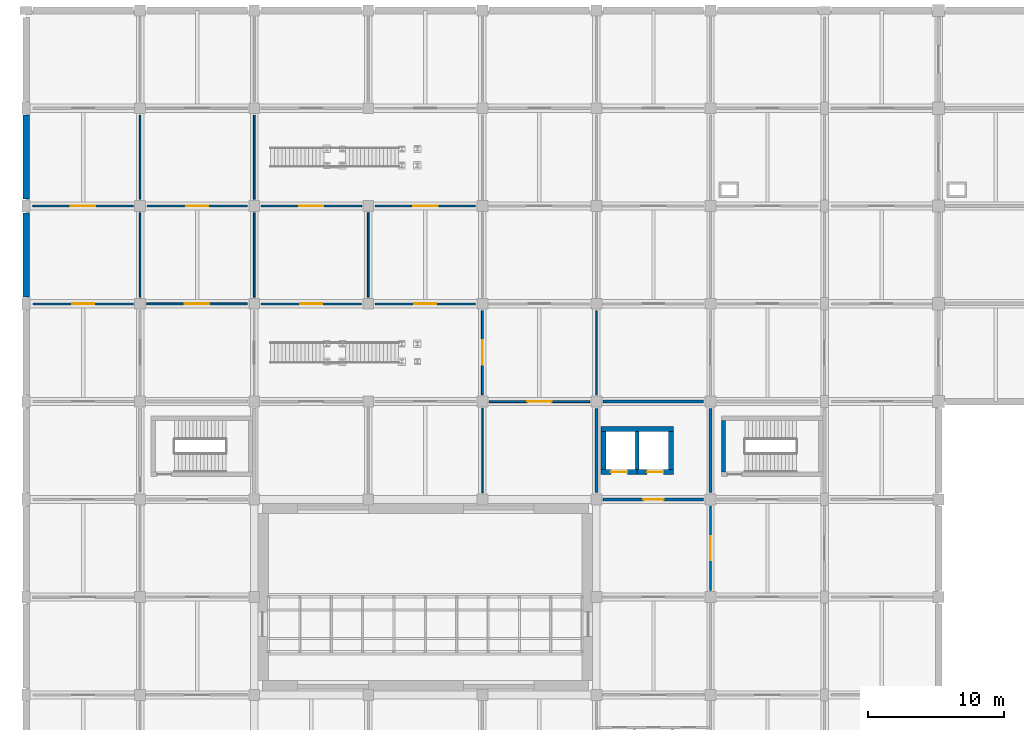
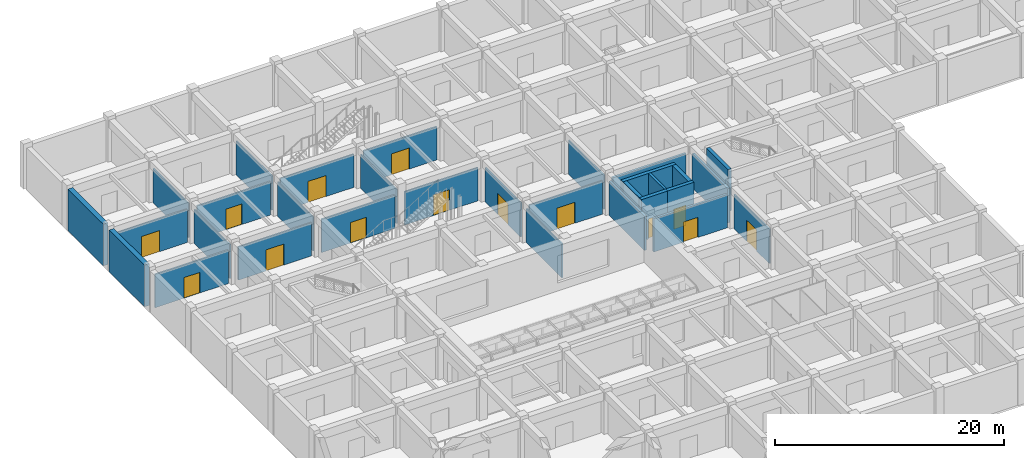
# One storey, part 19 of 32: 31 walls, 14 doors, 14 openings.
"""IFC4 building model written with IfcOpenShell, lengths in metres."""

from ifc_helpers import new_model, si_unit, derived_unit, direction, frame, frame_2d, origin, place, context, subcontext, project, spatial, rectangle, extrude, material, layer, layer_set, type_object, element, fill, save


model = new_model("IFC4")

# Units and contexts
model_context = context("Model", 3, precision=1e-05, world=origin(), true_north=direction((0.0, 1.0)))
body_context = subcontext(model_context, "Body", "Model", "MODEL_VIEW")
ifc_project = project(units=[si_unit("LENGTHUNIT", "METRE"), si_unit("AREAUNIT", "SQUARE_METRE"), si_unit("VOLUMEUNIT", "CUBIC_METRE"), si_unit("PLANEANGLEUNIT", "RADIAN"), si_unit("MASSUNIT", "GRAM", prefix="KILO"), derived_unit("THERMALTRANSMITTANCEUNIT", [(si_unit("MASSUNIT", "GRAM", prefix="KILO"), 1), (si_unit("TIMEUNIT", "SECOND"), -3), (si_unit("THERMODYNAMICTEMPERATUREUNIT", "KELVIN"), -1)])], contexts=[model_context])

# Site, building, storey
site_placement = place(None, origin())
site = spatial("IfcSite", under=ifc_project, at=site_placement, CompositionType="ELEMENT")
building_placement = place(site_placement, origin())
building = spatial("IfcBuilding", under=site, at=building_placement, Name="Veldstrom Oceanarium and Marine Research Institute", CompositionType="ELEMENT")
storey_placement = place(building_placement, frame((0.0, 0.0, -4.800048828125)))
storey = spatial("IfcBuildingStorey", under=building, at=storey_placement, Name="B01", CompositionType="ELEMENT", Elevation=-4.800048828125)

# Wall
ifc_material_1 = material(Name="Masonry Fire Compartment Wall", Category="masonry")
ifc_layer_1 = layer(ifc_material_1, 0.22998046875)
ifc_layer_set_1 = layer_set([ifc_layer_1], Name="ARC-WAL-PT1")
wall_type_1 = type_object("IfcWallType", Name="ARC-WAL-PT1", PredefinedType="PARTITIONING", material=ifc_layer_set_1)
wall_1_placement = place(storey_placement, frame((42.0, 36.5, 0.0), z_axis=(0.0, 0.0, 1.0), x_axis=(0.0, 1.0, 0.0)))
element("IfcWall", 1, at=wall_1_placement, inside=storey, type_object=wall_type_1, Name="Interior Partition PT1 B01-0364", PredefinedType="PARTITIONING", context=body_context, shape_type="SweptSolid", body=[
    extrude(rectangle(XDim=6.199951171875, YDim=0.22998046875, at=frame_2d((3.10009765625, 0.0))), origin(), (0.0, 0.0, 1.0), 3.64501953125),
])

# Wall, opening, door
wall_2_placement = place(storey_placement, frame((42.5, 36.0, 0.0), z_axis=(0.0, 0.0, 1.0), x_axis=(1.0, 0.0, 0.0)))
wall_2 = element("IfcWall", 2, at=wall_2_placement, inside=storey, type_object=wall_type_1, Name="Interior Partition PT1 B01-0382", PredefinedType="PARTITIONING", context=body_context, shape_type="SweptSolid", body=[
    extrude(rectangle(XDim=7.39990234375, YDim=0.22998046875, at=frame_2d((3.699951171875, 0.0))), origin(), (0.0, 0.0, 1.0), 3.545166015625),
])
opening_1_placement = place(wall_2_placement, frame((2.949951171875, 0.0, 0.0)))
opening_1 = element("IfcOpeningElement", 3, at=opening_1_placement, cuts=wall_2, Name="Opening D-B01-221", PredefinedType="OPENING", context=body_context, shape_type="SweptSolid", body=[
    extrude(rectangle(XDim=1.5, YDim=2.14990234375, at=frame_2d((0.75, 1.074951171875))), frame((0.0, 0.125, 0.0), z_axis=(0.0, -1.0, 0.0), x_axis=(1.0, 0.0, 0.0)), (0.0, 0.0, 1.0), 0.25),
])
ifc_material_2 = material(Name="Painted Steel Lobby Fire Door", Category="steel")
door_type_1 = type_object("IfcDoorType", Name="ARC-DOR-SD2", OperationType="DOUBLE_DOOR_SINGLE_SWING", PredefinedType="DOOR", material=ifc_material_2)
door_1_placement = place(opening_1_placement, frame((1.5, 0.0, 0.0), z_axis=(0.0, 0.0, 1.0), x_axis=(-1.0, 0.0, 0.0)))
door_1 = element("IfcDoor", 4, at=door_1_placement, inside=storey, type_object=door_type_1, Name="Interior Door D-B01-221", OperationType="DOUBLE_DOOR_SINGLE_SWING", OverallHeight=2.14990234375, OverallWidth=1.5, PredefinedType="DOOR", context=body_context, shape_type="SweptSolid", body=[
    extrude(rectangle(XDim=1.5, YDim=2.14990234375, at=frame_2d((0.75, 1.074951171875))), frame((0.0, 0.02490234375, 0.0), z_axis=(0.0, -1.0, 0.0), x_axis=(1.0, 0.0, 0.0)), (0.0, 0.0, 1.0), 0.050048828125),
])
fill(opening_1, door_1)

# Walls
wall_3_placement = place(storey_placement, frame((50.39990234375, 36.5, 0.0), z_axis=(0.0, 0.0, 1.0), x_axis=(0.0, 1.0, 0.0)))
element("IfcWall", 5, at=wall_3_placement, inside=storey, type_object=wall_type_1, Name="Interior Partition PT1 B01-0383", PredefinedType="PARTITIONING", context=body_context, shape_type="SweptSolid", body=[
    extrude(rectangle(XDim=6.199951171875, YDim=0.22998046875, at=frame_2d((3.10009765625, 0.0))), origin(), (0.0, 0.0, 1.0), 3.64501953125),
])
wall_4_placement = place(storey_placement, frame((42.5, 43.199951171875, 0.0), z_axis=(0.0, 0.0, 1.0), x_axis=(1.0, 0.0, 0.0)))
element("IfcWall", 6, at=wall_4_placement, inside=storey, type_object=wall_type_1, Name="Interior Partition PT1 B01-0384", PredefinedType="PARTITIONING", context=body_context, shape_type="SweptSolid", body=[
    extrude(rectangle(XDim=7.39990234375, YDim=0.22998046875, at=frame_2d((3.699951171875, 0.0))), origin(), (0.0, 0.0, 1.0), 3.545166015625),
])

# Wall, opening, door
ifc_material_3 = material(Name="Drywall Corridor Partition", Category="gypsum")
ifc_layer_2 = layer(ifc_material_3, 0.155029296875)
ifc_layer_set_2 = layer_set([ifc_layer_2], Name="ARC-WAL-PT4")
wall_type_2 = type_object("IfcWallType", Name="ARC-WAL-PT4", PredefinedType="PARTITIONING", material=ifc_layer_set_2)
wall_5_placement = place(storey_placement, frame((0.5, 50.39990234375, 0.0), z_axis=(0.0, 0.0, 1.0), x_axis=(1.0, 0.0, 0.0)))
wall_5 = element("IfcWall", 7, at=wall_5_placement, inside=storey, type_object=wall_type_2, Name="Interior Partition PT4 B01-0311", PredefinedType="PARTITIONING", context=body_context, shape_type="SweptSolid", body=[
    extrude(rectangle(XDim=7.39990234375, YDim=0.155029296875, at=frame_2d((3.699951171875, 0.0))), origin(), (0.0, 0.0, 1.0), 3.545166015625),
])
opening_2_placement = place(wall_5_placement, frame((2.89990234375, 0.0, 0.0)))
opening_2 = element("IfcOpeningElement", 8, at=opening_2_placement, cuts=wall_5, Name="Opening D-B01-183", PredefinedType="OPENING", context=body_context, shape_type="SweptSolid", body=[
    extrude(rectangle(XDim=1.60009765625, YDim=2.199951171875, at=frame_2d((0.800048828125, 1.10009765625))), frame((0.0, 0.08740234375, 0.0), z_axis=(0.0, -1.0, 0.0), x_axis=(1.0, 0.0, 0.0)), (0.0, 0.0, 1.0), 0.175048828125),
])
ifc_material_4 = material(Name="Acoustic Timber Corridor Door", Category="wood")
door_type_2 = type_object("IfcDoorType", Name="ARC-DOR-ID02", OperationType="DOUBLE_DOOR_SINGLE_SWING", PredefinedType="DOOR", material=ifc_material_4)
door_2_placement = place(opening_2_placement, frame((1.60009765625, 0.0, 0.0), z_axis=(0.0, 0.0, 1.0), x_axis=(-1.0, 0.0, 0.0)))
door_2 = element("IfcDoor", 9, at=door_2_placement, inside=storey, type_object=door_type_2, Name="Interior Door D-B01-183", OperationType="DOUBLE_DOOR_SINGLE_SWING", OverallHeight=2.199951171875, OverallWidth=1.60009765625, PredefinedType="DOOR", context=body_context, shape_type="SweptSolid", body=[
    extrude(rectangle(XDim=1.60009765625, YDim=2.199951171875, at=frame_2d((0.800048828125, 1.10009765625))), frame((0.0, 0.02490234375, 0.0), z_axis=(0.0, -1.0, 0.0), x_axis=(1.0, 0.0, 0.0)), (0.0, 0.0, 1.0), 0.050048828125),
])
fill(opening_2, door_2)

wall_6_placement = place(storey_placement, frame((8.89990234375, 57.60009765625, 0.0), z_axis=(0.0, 0.0, 1.0), x_axis=(1.0, 0.0, 0.0)))
wall_6 = element("IfcWall", 10, at=wall_6_placement, inside=storey, type_object=wall_type_2, Name="Interior Partition PT4 B01-0329", PredefinedType="PARTITIONING", context=body_context, shape_type="SweptSolid", body=[
    extrude(rectangle(XDim=7.400146484375, YDim=0.155029296875, at=frame_2d((3.7001953125, 0.0))), origin(), (0.0, 0.0, 1.0), 3.545166015625),
])
opening_3_placement = place(wall_6_placement, frame((2.89990234375, 0.0, 0.0)))
opening_3 = element("IfcOpeningElement", 11, at=opening_3_placement, cuts=wall_6, Name="Opening D-B01-193", PredefinedType="OPENING", context=body_context, shape_type="SweptSolid", body=[
    extrude(rectangle(XDim=1.60009765625, YDim=2.199951171875, at=frame_2d((0.800048828125, 1.10009765625))), frame((0.0, 0.08740234375, 0.0), z_axis=(0.0, -1.0, 0.0), x_axis=(1.0, 0.0, 0.0)), (0.0, 0.0, 1.0), 0.175048828125),
])
door_3_placement = place(opening_3_placement, frame((1.60009765625, 0.0, 0.0), z_axis=(0.0, 0.0, 1.0), x_axis=(-1.0, 0.0, 0.0)))
door_3 = element("IfcDoor", 12, at=door_3_placement, inside=storey, type_object=door_type_2, Name="Interior Door D-B01-193", OperationType="DOUBLE_DOOR_SINGLE_SWING", OverallHeight=2.199951171875, OverallWidth=1.60009765625, PredefinedType="DOOR", context=body_context, shape_type="SweptSolid", body=[
    extrude(rectangle(XDim=1.60009765625, YDim=2.199951171875, at=frame_2d((0.800048828125, 1.10009765625))), frame((0.0, 0.02490234375, 0.0), z_axis=(0.0, -1.0, 0.0), x_axis=(1.0, 0.0, 0.0)), (0.0, 0.0, 1.0), 0.050048828125),
])
fill(opening_3, door_3)

wall_7_placement = place(storey_placement, frame((17.300048828125, 50.39990234375, 0.0), z_axis=(0.0, 0.0, 1.0), x_axis=(1.0, 0.0, 0.0)))
wall_7 = element("IfcWall", 13, at=wall_7_placement, inside=storey, type_object=wall_type_2, Name="Interior Partition PT4 B01-0340", PredefinedType="PARTITIONING", context=body_context, shape_type="SweptSolid", body=[
    extrude(rectangle(XDim=7.39990234375, YDim=0.155029296875, at=frame_2d((3.699951171875, 0.0))), origin(), (0.0, 0.0, 1.0), 3.545166015625),
])
opening_4_placement = place(wall_7_placement, frame((2.89990234375, 0.0, 0.0)))
opening_4 = element("IfcOpeningElement", 14, at=opening_4_placement, cuts=wall_7, Name="Opening D-B01-199", PredefinedType="OPENING", context=body_context, shape_type="SweptSolid", body=[
    extrude(rectangle(XDim=1.60009765625, YDim=2.199951171875, at=frame_2d((0.800048828125, 1.10009765625))), frame((0.0, 0.08740234375, 0.0), z_axis=(0.0, -1.0, 0.0), x_axis=(1.0, 0.0, 0.0)), (0.0, 0.0, 1.0), 0.175048828125),
])
door_4_placement = place(opening_4_placement, frame((1.60009765625, 0.0, 0.0), z_axis=(0.0, 0.0, 1.0), x_axis=(-1.0, 0.0, 0.0)))
door_4 = element("IfcDoor", 15, at=door_4_placement, inside=storey, type_object=door_type_2, Name="Interior Door D-B01-199", OperationType="DOUBLE_DOOR_SINGLE_SWING", OverallHeight=2.199951171875, OverallWidth=1.60009765625, PredefinedType="DOOR", context=body_context, shape_type="SweptSolid", body=[
    extrude(rectangle(XDim=1.60009765625, YDim=2.199951171875, at=frame_2d((0.800048828125, 1.10009765625))), frame((0.0, 0.02490234375, 0.0), z_axis=(0.0, -1.0, 0.0), x_axis=(1.0, 0.0, 0.0)), (0.0, 0.0, 1.0), 0.050048828125),
])
fill(opening_4, door_4)

wall_8_placement = place(storey_placement, frame((25.699951171875, 57.60009765625, 0.0), z_axis=(0.0, 0.0, 1.0), x_axis=(1.0, 0.0, 0.0)))
wall_8 = element("IfcWall", 16, at=wall_8_placement, inside=storey, type_object=wall_type_2, Name="Interior Partition PT4 B01-0355", PredefinedType="PARTITIONING", context=body_context, shape_type="SweptSolid", body=[
    extrude(rectangle(XDim=7.400146484375, YDim=0.155029296875, at=frame_2d((3.7001953125, 0.0))), origin(), (0.0, 0.0, 1.0), 3.545166015625),
])
opening_5_placement = place(wall_8_placement, frame((2.800048828125, 0.0, 0.0)))
opening_5 = element("IfcOpeningElement", 17, at=opening_5_placement, cuts=wall_8, Name="Opening D-B01-208", PredefinedType="OPENING", context=body_context, shape_type="SweptSolid", body=[
    extrude(rectangle(XDim=1.800048828125, YDim=2.25, at=frame_2d((0.89990234375, 1.125))), frame((0.0, 0.08740234375, 0.0), z_axis=(0.0, -1.0, 0.0), x_axis=(1.0, 0.0, 0.0)), (0.0, 0.0, 1.0), 0.175048828125),
])
ifc_material_5 = material(Name="Acoustic Timber Gallery Door", Category="wood")
door_type_3 = type_object("IfcDoorType", Name="ARC-DOR-ID01", OperationType="DOUBLE_DOOR_SINGLE_SWING", PredefinedType="DOOR", material=ifc_material_5)
door_5_placement = place(opening_5_placement, frame((1.800048828125, 0.0, 0.0), z_axis=(0.0, 0.0, 1.0), x_axis=(-1.0, 0.0, 0.0)))
door_5 = element("IfcDoor", 18, at=door_5_placement, inside=storey, type_object=door_type_3, Name="Interior Door D-B01-208", OperationType="DOUBLE_DOOR_SINGLE_SWING", OverallHeight=2.25, OverallWidth=1.800048828125, PredefinedType="DOOR", context=body_context, shape_type="SweptSolid", body=[
    extrude(rectangle(XDim=1.800048828125, YDim=2.25, at=frame_2d((0.89990234375, 1.125))), frame((0.0, 0.02490234375, 0.0), z_axis=(0.0, -1.0, 0.0), x_axis=(1.0, 0.0, 0.0)), (0.0, 0.0, 1.0), 0.050048828125),
])
fill(opening_5, door_5)

ifc_material_6 = material(Name="Moisture-Resistant Wet-Area Partition", Category="masonry")
ifc_layer_3 = layer(ifc_material_6, 0.139892578125)
ifc_layer_set_3 = layer_set([ifc_layer_3], Name="ARC-WAL-PT5")
wall_type_3 = type_object("IfcWallType", Name="ARC-WAL-PT5", PredefinedType="PARTITIONING", material=ifc_layer_set_3)
wall_9_placement = place(storey_placement, frame((0.5, 57.60009765625, 0.0), z_axis=(0.0, 0.0, 1.0), x_axis=(1.0, 0.0, 0.0)))
wall_9 = element("IfcWall", 19, at=wall_9_placement, inside=storey, type_object=wall_type_3, Name="Interior Partition PT5 B01-0313", PredefinedType="PARTITIONING", context=body_context, shape_type="SweptSolid", body=[
    extrude(rectangle(XDim=7.39990234375, YDim=0.139892578125, at=frame_2d((3.699951171875, 0.0))), origin(), (0.0, 0.0, 1.0), 3.545166015625),
])
opening_6_placement = place(wall_9_placement, frame((2.800048828125, 0.0, 0.0)))
opening_6 = element("IfcOpeningElement", 20, at=opening_6_placement, cuts=wall_9, Name="Opening D-B01-184", PredefinedType="OPENING", context=body_context, shape_type="SweptSolid", body=[
    extrude(rectangle(XDim=1.800048828125, YDim=2.25, at=frame_2d((0.89990234375, 1.125))), frame((0.0, 0.079833984375, 0.0), z_axis=(0.0, -1.0, 0.0), x_axis=(1.0, 0.0, 0.0)), (0.0, 0.0, 1.0), 0.159912109375),
])
door_6_placement = place(opening_6_placement, origin())
door_6 = element("IfcDoor", 21, at=door_6_placement, inside=storey, type_object=door_type_3, Name="Interior Door D-B01-184", OperationType="DOUBLE_DOOR_SINGLE_SWING", OverallHeight=2.25, OverallWidth=1.800048828125, PredefinedType="DOOR", context=body_context, shape_type="SweptSolid", body=[
    extrude(rectangle(XDim=1.800048828125, YDim=2.25, at=frame_2d((0.89990234375, 1.125))), frame((0.0, 0.02490234375, 0.0), z_axis=(0.0, -1.0, 0.0), x_axis=(1.0, 0.0, 0.0)), (0.0, 0.0, 1.0), 0.050048828125),
])
fill(opening_6, door_6)

wall_10_placement = place(storey_placement, frame((8.89990234375, 50.39990234375, 0.0), z_axis=(0.0, 0.0, 1.0), x_axis=(1.0, 0.0, 0.0)))
wall_10 = element("IfcWall", 22, at=wall_10_placement, inside=storey, type_object=wall_type_3, Name="Interior Partition PT5 B01-0327", PredefinedType="PARTITIONING", context=body_context, shape_type="SweptSolid", body=[
    extrude(rectangle(XDim=7.400146484375, YDim=0.139892578125, at=frame_2d((3.7001953125, 0.0))), origin(), (0.0, 0.0, 1.0), 3.545166015625),
])
opening_7_placement = place(wall_10_placement, frame((2.800048828125, 0.0, 0.0)))
opening_7 = element("IfcOpeningElement", 23, at=opening_7_placement, cuts=wall_10, Name="Opening D-B01-192", PredefinedType="OPENING", context=body_context, shape_type="SweptSolid", body=[
    extrude(rectangle(XDim=1.800048828125, YDim=2.25, at=frame_2d((0.89990234375, 1.125))), frame((0.0, 0.079833984375, 0.0), z_axis=(0.0, -1.0, 0.0), x_axis=(1.0, 0.0, 0.0)), (0.0, 0.0, 1.0), 0.159912109375),
])
door_7_placement = place(opening_7_placement, origin())
door_7 = element("IfcDoor", 24, at=door_7_placement, inside=storey, type_object=door_type_3, Name="Interior Door D-B01-192", OperationType="DOUBLE_DOOR_SINGLE_SWING", OverallHeight=2.25, OverallWidth=1.800048828125, PredefinedType="DOOR", context=body_context, shape_type="SweptSolid", body=[
    extrude(rectangle(XDim=1.800048828125, YDim=2.25, at=frame_2d((0.89990234375, 1.125))), frame((0.0, 0.02490234375, 0.0), z_axis=(0.0, -1.0, 0.0), x_axis=(1.0, 0.0, 0.0)), (0.0, 0.0, 1.0), 0.050048828125),
])
fill(opening_7, door_7)

wall_11_placement = place(storey_placement, frame((17.300048828125, 57.60009765625, 0.0), z_axis=(0.0, 0.0, 1.0), x_axis=(1.0, 0.0, 0.0)))
wall_11 = element("IfcWall", 25, at=wall_11_placement, inside=storey, type_object=wall_type_3, Name="Interior Partition PT5 B01-0342", PredefinedType="PARTITIONING", context=body_context, shape_type="SweptSolid", body=[
    extrude(rectangle(XDim=7.39990234375, YDim=0.139892578125, at=frame_2d((3.699951171875, 0.0))), origin(), (0.0, 0.0, 1.0), 3.545166015625),
])
opening_8_placement = place(wall_11_placement, frame((2.800048828125, 0.0, 0.0)))
opening_8 = element("IfcOpeningElement", 26, at=opening_8_placement, cuts=wall_11, Name="Opening D-B01-200", PredefinedType="OPENING", context=body_context, shape_type="SweptSolid", body=[
    extrude(rectangle(XDim=1.800048828125, YDim=2.25, at=frame_2d((0.89990234375, 1.125))), frame((0.0, 0.079833984375, 0.0), z_axis=(0.0, -1.0, 0.0), x_axis=(1.0, 0.0, 0.0)), (0.0, 0.0, 1.0), 0.159912109375),
])
door_8_placement = place(opening_8_placement, origin())
door_8 = element("IfcDoor", 27, at=door_8_placement, inside=storey, type_object=door_type_3, Name="Interior Door D-B01-200", OperationType="DOUBLE_DOOR_SINGLE_SWING", OverallHeight=2.25, OverallWidth=1.800048828125, PredefinedType="DOOR", context=body_context, shape_type="SweptSolid", body=[
    extrude(rectangle(XDim=1.800048828125, YDim=2.25, at=frame_2d((0.89990234375, 1.125))), frame((0.0, 0.02490234375, 0.0), z_axis=(0.0, -1.0, 0.0), x_axis=(1.0, 0.0, 0.0)), (0.0, 0.0, 1.0), 0.050048828125),
])
fill(opening_8, door_8)

wall_12_placement = place(storey_placement, frame((33.60009765625, 43.699951171875, 0.0), z_axis=(0.0, 0.0, 1.0), x_axis=(0.0, 1.0, 0.0)))
wall_12 = element("IfcWall", 28, at=wall_12_placement, inside=storey, type_object=wall_type_3, Name="Interior Partition PT5 B01-0352", PredefinedType="PARTITIONING", context=body_context, shape_type="SweptSolid", body=[
    extrude(rectangle(XDim=6.199951171875, YDim=0.139892578125, at=frame_2d((3.10009765625, 0.0))), origin(), (0.0, 0.0, 1.0), 3.64501953125),
])
opening_9_placement = place(wall_12_placement, frame((2.199951171875, 0.0, 0.0)))
opening_9 = element("IfcOpeningElement", 29, at=opening_9_placement, cuts=wall_12, Name="Opening D-B01-206", PredefinedType="OPENING", context=body_context, shape_type="SweptSolid", body=[
    extrude(rectangle(XDim=1.800048828125, YDim=2.25, at=frame_2d((0.89990234375, 1.125))), frame((0.0, 0.079833984375, 0.0), z_axis=(0.0, -1.0, 0.0), x_axis=(1.0, 0.0, 0.0)), (0.0, 0.0, 1.0), 0.159912109375),
])
door_9_placement = place(opening_9_placement, frame((1.800048828125, 0.0, 0.0), z_axis=(0.0, 0.0, 1.0), x_axis=(-1.0, 0.0, 0.0)))
door_9 = element("IfcDoor", 30, at=door_9_placement, inside=storey, type_object=door_type_3, Name="Interior Door D-B01-206", OperationType="DOUBLE_DOOR_SINGLE_SWING", OverallHeight=2.25, OverallWidth=1.800048828125, PredefinedType="DOOR", context=body_context, shape_type="SweptSolid", body=[
    extrude(rectangle(XDim=1.800048828125, YDim=2.25, at=frame_2d((0.89990234375, 1.125))), frame((0.0, 0.02490234375, 0.0), z_axis=(0.0, -1.0, 0.0), x_axis=(1.0, 0.0, 0.0)), (0.0, 0.0, 1.0), 0.050048828125),
])
fill(opening_9, door_9)

wall_13_placement = place(storey_placement, frame((25.699951171875, 50.39990234375, 0.0), z_axis=(0.0, 0.0, 1.0), x_axis=(1.0, 0.0, 0.0)))
wall_13 = element("IfcWall", 31, at=wall_13_placement, inside=storey, type_object=wall_type_3, Name="Interior Partition PT5 B01-0353", PredefinedType="PARTITIONING", context=body_context, shape_type="SweptSolid", body=[
    extrude(rectangle(XDim=7.400146484375, YDim=0.139892578125, at=frame_2d((3.7001953125, 0.0))), origin(), (0.0, 0.0, 1.0), 3.545166015625),
])
opening_10_placement = place(wall_13_placement, frame((2.89990234375, 0.0, 0.0)))
opening_10 = element("IfcOpeningElement", 32, at=opening_10_placement, cuts=wall_13, Name="Opening D-B01-207", PredefinedType="OPENING", context=body_context, shape_type="SweptSolid", body=[
    extrude(rectangle(XDim=1.60009765625, YDim=2.199951171875, at=frame_2d((0.800048828125, 1.10009765625))), frame((0.0, 0.079833984375, 0.0), z_axis=(0.0, -1.0, 0.0), x_axis=(1.0, 0.0, 0.0)), (0.0, 0.0, 1.0), 0.159912109375),
])
door_10_placement = place(opening_10_placement, origin())
door_10 = element("IfcDoor", 33, at=door_10_placement, inside=storey, type_object=door_type_2, Name="Interior Door D-B01-207", OperationType="DOUBLE_DOOR_SINGLE_SWING", OverallHeight=2.199951171875, OverallWidth=1.60009765625, PredefinedType="DOOR", context=body_context, shape_type="SweptSolid", body=[
    extrude(rectangle(XDim=1.60009765625, YDim=2.199951171875, at=frame_2d((0.800048828125, 1.10009765625))), frame((0.0, 0.02490234375, 0.0), z_axis=(0.0, -1.0, 0.0), x_axis=(1.0, 0.0, 0.0)), (0.0, 0.0, 1.0), 0.050048828125),
])
fill(opening_10, door_10)

wall_14_placement = place(storey_placement, frame((34.10009765625, 43.199951171875, 0.0), z_axis=(0.0, 0.0, 1.0), x_axis=(1.0, 0.0, 0.0)))
wall_14 = element("IfcWall", 34, at=wall_14_placement, inside=storey, type_object=wall_type_3, Name="Interior Partition PT5 B01-0365", PredefinedType="PARTITIONING", context=body_context, shape_type="SweptSolid", body=[
    extrude(rectangle(XDim=7.39990234375, YDim=0.139892578125, at=frame_2d((3.699951171875, 0.0))), origin(), (0.0, 0.0, 1.0), 3.545166015625),
])
opening_11_placement = place(wall_14_placement, frame((2.800048828125, 0.0, 0.0)))
opening_11 = element("IfcOpeningElement", 35, at=opening_11_placement, cuts=wall_14, Name="Opening D-B01-212", PredefinedType="OPENING", context=body_context, shape_type="SweptSolid", body=[
    extrude(rectangle(XDim=1.800048828125, YDim=2.25, at=frame_2d((0.89990234375, 1.125))), frame((0.0, 0.079833984375, 0.0), z_axis=(0.0, -1.0, 0.0), x_axis=(1.0, 0.0, 0.0)), (0.0, 0.0, 1.0), 0.159912109375),
])
door_11_placement = place(opening_11_placement, origin())
door_11 = element("IfcDoor", 36, at=door_11_placement, inside=storey, type_object=door_type_3, Name="Interior Door D-B01-212", OperationType="DOUBLE_DOOR_SINGLE_SWING", OverallHeight=2.25, OverallWidth=1.800048828125, PredefinedType="DOOR", context=body_context, shape_type="SweptSolid", body=[
    extrude(rectangle(XDim=1.800048828125, YDim=2.25, at=frame_2d((0.89990234375, 1.125))), frame((0.0, 0.02490234375, 0.0), z_axis=(0.0, -1.0, 0.0), x_axis=(1.0, 0.0, 0.0)), (0.0, 0.0, 1.0), 0.050048828125),
])
fill(opening_11, door_11)

wall_15_placement = place(storey_placement, frame((50.39990234375, 29.300048828125, 0.0), z_axis=(0.0, 0.0, 1.0), x_axis=(0.0, 1.0, 0.0)))
wall_15 = element("IfcWall", 37, at=wall_15_placement, inside=storey, type_object=wall_type_3, Name="Interior Partition PT5 B01-0381", PredefinedType="PARTITIONING", context=body_context, shape_type="SweptSolid", body=[
    extrude(rectangle(XDim=6.199951171875, YDim=0.139892578125, at=frame_2d((3.10009765625, 0.0))), origin(), (0.0, 0.0, 1.0), 3.64501953125),
])
opening_12_placement = place(wall_15_placement, frame((2.199951171875, 0.0, 0.0)))
opening_12 = element("IfcOpeningElement", 38, at=opening_12_placement, cuts=wall_15, Name="Opening D-B01-220", PredefinedType="OPENING", context=body_context, shape_type="SweptSolid", body=[
    extrude(rectangle(XDim=1.800048828125, YDim=2.25, at=frame_2d((0.89990234375, 1.125))), frame((0.0, 0.079833984375, 0.0), z_axis=(0.0, -1.0, 0.0), x_axis=(1.0, 0.0, 0.0)), (0.0, 0.0, 1.0), 0.159912109375),
])
door_12_placement = place(opening_12_placement, frame((1.800048828125, 0.0, 0.0), z_axis=(0.0, 0.0, 1.0), x_axis=(-1.0, 0.0, 0.0)))
door_12 = element("IfcDoor", 39, at=door_12_placement, inside=storey, type_object=door_type_3, Name="Interior Door D-B01-220", OperationType="DOUBLE_DOOR_SINGLE_SWING", OverallHeight=2.25, OverallWidth=1.800048828125, PredefinedType="DOOR", context=body_context, shape_type="SweptSolid", body=[
    extrude(rectangle(XDim=1.800048828125, YDim=2.25, at=frame_2d((0.89990234375, 1.125))), frame((0.0, 0.02490234375, 0.0), z_axis=(0.0, -1.0, 0.0), x_axis=(1.0, 0.0, 0.0)), (0.0, 0.0, 1.0), 0.050048828125),
])
fill(opening_12, door_12)

# Walls
ifc_material_7 = material(Name="Lightweight Studio Partition", Category="gypsum")
ifc_layer_4 = layer(ifc_material_7, 0.1201171875)
ifc_layer_set_4 = layer_set([ifc_layer_4], Name="ARC-WAL-PT6")
wall_type_4 = type_object("IfcWallType", Name="ARC-WAL-PT6", PredefinedType="PARTITIONING", material=ifc_layer_set_4)
wall_16_placement = place(storey_placement, frame((8.39990234375, 50.89990234375, 0.0), z_axis=(0.0, 0.0, 1.0), x_axis=(0.0, 1.0, 0.0)))
element("IfcWall", 40, at=wall_16_placement, inside=storey, type_object=wall_type_4, Name="Interior Partition PT6 B01-0312", PredefinedType="PARTITIONING", context=body_context, shape_type="SweptSolid", body=[
    extrude(rectangle(XDim=6.2001953125, YDim=0.1201171875, at=frame_2d((3.10009765625, 0.0))), origin(), (0.0, 0.0, 1.0), 3.64501953125),
])
wall_17_placement = place(storey_placement, frame((8.39990234375, 58.10009765625, 0.0), z_axis=(0.0, 0.0, 1.0), x_axis=(0.0, 1.0, 0.0)))
element("IfcWall", 41, at=wall_17_placement, inside=storey, type_object=wall_type_4, Name="Interior Partition PT6 B01-0314", PredefinedType="PARTITIONING", context=body_context, shape_type="SweptSolid", body=[
    extrude(rectangle(XDim=6.199951171875, YDim=0.1201171875, at=frame_2d((3.10009765625, 0.0))), origin(), (0.0, 0.0, 1.0), 3.64501953125),
])
wall_18_placement = place(storey_placement, frame((16.800048828125, 50.89990234375, 0.0), z_axis=(0.0, 0.0, 1.0), x_axis=(0.0, 1.0, 0.0)))
element("IfcWall", 42, at=wall_18_placement, inside=storey, type_object=wall_type_4, Name="Interior Partition PT6 B01-0328", PredefinedType="PARTITIONING", context=body_context, shape_type="SweptSolid", body=[
    extrude(rectangle(XDim=6.2001953125, YDim=0.1201171875, at=frame_2d((3.10009765625, 0.0))), origin(), (0.0, 0.0, 1.0), 3.64501953125),
])
wall_19_placement = place(storey_placement, frame((16.800048828125, 58.10009765625, 0.0), z_axis=(0.0, 0.0, 1.0), x_axis=(0.0, 1.0, 0.0)))
element("IfcWall", 43, at=wall_19_placement, inside=storey, type_object=wall_type_4, Name="Interior Partition PT6 B01-0330", PredefinedType="PARTITIONING", context=body_context, shape_type="SweptSolid", body=[
    extrude(rectangle(XDim=6.199951171875, YDim=0.1201171875, at=frame_2d((3.10009765625, 0.0))), origin(), (0.0, 0.0, 1.0), 3.64501953125),
])
wall_20_placement = place(storey_placement, frame((25.199951171875, 50.89990234375, 0.0), z_axis=(0.0, 0.0, 1.0), x_axis=(0.0, 1.0, 0.0)))
element("IfcWall", 44, at=wall_20_placement, inside=storey, type_object=wall_type_4, Name="Interior Partition PT6 B01-0341", PredefinedType="PARTITIONING", context=body_context, shape_type="SweptSolid", body=[
    extrude(rectangle(XDim=6.2001953125, YDim=0.1201171875, at=frame_2d((3.10009765625, 0.0))), origin(), (0.0, 0.0, 1.0), 3.64501953125),
])
for number, where, z_axis, x_axis, name in (
    (45, (33.60009765625, 36.5, 0.0), (0.0, 0.0, 1.0), (0.0, 1.0, 0.0), "Interior Partition PT6 B01-0350"),
    (46, (42.0, 43.699951171875, 0.0), (0.0, 0.0, 1.0), (0.0, 1.0, 0.0), "Interior Partition PT6 B01-0366"),
):
    element("IfcWall", number, at=place(storey_placement, frame(where, z_axis=z_axis, x_axis=x_axis)), inside=storey, type_object=wall_type_4, Name=name, PredefinedType="PARTITIONING", context=body_context, shape_type="SweptSolid", body=[
        extrude(rectangle(XDim=6.199951171875, YDim=0.1201171875, at=frame_2d((3.10009765625, 0.0))), origin(), (0.0, 0.0, 1.0), 3.64501953125),
    ])
ifc_material_8 = material(Name="Concrete C40/50", Category="concrete")
ifc_layer_5 = layer(ifc_material_8, 0.360107421875)
ifc_layer_set_5 = layer_set([ifc_layer_5], Name="STR-WAL-WC2")
wall_type_5 = type_object("IfcWallType", Name="STR-WAL-WC2", PredefinedType="SHEAR", material=ifc_layer_set_5)
wall_21_placement = place(storey_placement, frame((42.340087890625, 41.179931640625, 0.0), z_axis=(0.0, 0.0, 1.0), x_axis=(1.0, 0.0, 0.0)))
element("IfcWall", 47, at=wall_21_placement, inside=storey, type_object=wall_type_5, Name="Lift Shaft Shear Wall N B01 5/5", PredefinedType="SHEAR", context=body_context, shape_type="SweptSolid", body=[
    extrude(rectangle(XDim=5.31982421875, YDim=0.360107421875, at=frame_2d((2.659912109375, 0.0))), origin(), (0.0, 0.0, 1.0), 4.449951171875),
])

# Wall, opening, door
wall_22_placement = place(storey_placement, frame((42.340087890625, 38.02001953125, 0.0), z_axis=(0.0, 0.0, 1.0), x_axis=(1.0, 0.0, 0.0)))
wall_22 = element("IfcWall", 48, at=wall_22_placement, inside=storey, type_object=wall_type_5, Name="Lift Shaft Front Shear Wall LP4 B01", PredefinedType="SHEAR", context=body_context, shape_type="SweptSolid", body=[
    extrude(rectangle(XDim=2.659912109375, YDim=0.360107421875, at=frame_2d((1.330078125, 0.0))), origin(), (0.0, 0.0, 1.0), 4.449951171875),
])
opening_13_placement = place(wall_22_placement, frame((0.72998046875, 0.0, 0.0)))
opening_13 = element("IfcOpeningElement", 49, at=opening_13_placement, cuts=wall_22, Name="Opening LD-LP4-B01", PredefinedType="OPENING", context=body_context, shape_type="SweptSolid", body=[
    extrude(rectangle(XDim=1.199951171875, YDim=2.14990234375, at=frame_2d((0.60009765625, 1.074951171875))), frame((0.0, 0.18994140625, 0.0), z_axis=(0.0, -1.0, 0.0), x_axis=(1.0, 0.0, 0.0)), (0.0, 0.0, 1.0), 0.380126953125),
])
ifc_material_9 = material(Name="Stainless Steel Lift Landing Door", Category="steel")
door_type_4 = type_object("IfcDoorType", Name="ARC-DOR-LD2", OperationType="DOUBLE_DOOR_SLIDING", PredefinedType="DOOR", material=ifc_material_9)
door_13_placement = place(opening_13_placement, origin())
door_13 = element("IfcDoor", 50, at=door_13_placement, inside=storey, type_object=door_type_4, Name="Lift Landing Door LD-LP4-B01", OperationType="DOUBLE_DOOR_SLIDING", OverallHeight=2.14990234375, OverallWidth=1.199951171875, PredefinedType="DOOR", context=body_context, shape_type="SweptSolid", body=[
    extrude(rectangle(XDim=1.199951171875, YDim=2.14990234375, at=frame_2d((0.60009765625, 1.074951171875))), frame((0.0, 0.02490234375, 0.0), z_axis=(0.0, -1.0, 0.0), x_axis=(1.0, 0.0, 0.0)), (0.0, 0.0, 1.0), 0.050048828125),
])
fill(opening_13, door_13)

wall_23_placement = place(storey_placement, frame((45.0, 38.02001953125, 0.0), z_axis=(0.0, 0.0, 1.0), x_axis=(1.0, 0.0, 0.0)))
wall_23 = element("IfcWall", 51, at=wall_23_placement, inside=storey, type_object=wall_type_5, Name="Lift Shaft Front Shear Wall LP5 B01", PredefinedType="SHEAR", context=body_context, shape_type="SweptSolid", body=[
    extrude(rectangle(XDim=2.659912109375, YDim=0.360107421875, at=frame_2d((1.330078125, 0.0))), origin(), (0.0, 0.0, 1.0), 4.449951171875),
])
opening_14_placement = place(wall_23_placement, frame((0.72998046875, 0.0, 0.0)))
opening_14 = element("IfcOpeningElement", 52, at=opening_14_placement, cuts=wall_23, Name="Opening LD-LP5-B01", PredefinedType="OPENING", context=body_context, shape_type="SweptSolid", body=[
    extrude(rectangle(XDim=1.199951171875, YDim=2.14990234375, at=frame_2d((0.60009765625, 1.074951171875))), frame((0.0, 0.18994140625, 0.0), z_axis=(0.0, -1.0, 0.0), x_axis=(1.0, 0.0, 0.0)), (0.0, 0.0, 1.0), 0.380126953125),
])
door_14_placement = place(opening_14_placement, origin())
door_14 = element("IfcDoor", 53, at=door_14_placement, inside=storey, type_object=door_type_4, Name="Lift Landing Door LD-LP5-B01", OperationType="DOUBLE_DOOR_SLIDING", OverallHeight=2.14990234375, OverallWidth=1.199951171875, PredefinedType="DOOR", context=body_context, shape_type="SweptSolid", body=[
    extrude(rectangle(XDim=1.199951171875, YDim=2.14990234375, at=frame_2d((0.60009765625, 1.074951171875))), frame((0.0, 0.02490234375, 0.0), z_axis=(0.0, -1.0, 0.0), x_axis=(1.0, 0.0, 0.0)), (0.0, 0.0, 1.0), 0.050048828125),
])
fill(opening_14, door_14)

# Walls
for number, where, z_axis, x_axis, name in (
    (54, (42.52001953125, 38.199951171875, 0.0), (0.0, 0.0, 1.0), (0.0, 1.0, 0.0), "Lift Shaft Shear Wall W B01 5/5"),
    (55, (47.47998046875, 38.199951171875, 0.0), (0.0, 0.0, 1.0), (0.0, 1.0, 0.0), "Lift Shaft Shear Wall E B01 5/5"),
):
    element("IfcWall", number, at=place(storey_placement, frame(where, z_axis=z_axis, x_axis=x_axis)), inside=storey, type_object=wall_type_5, Name=name, PredefinedType="SHEAR", context=body_context, shape_type="SweptSolid", body=[
        extrude(rectangle(XDim=2.800048828125, YDim=0.360107421875, at=frame_2d((1.39990234375, 0.0))), origin(), (0.0, 0.0, 1.0), 4.449951171875),
    ])
ifc_material_10 = material(Name="Concrete C40/50", Category="concrete")
ifc_layer_6 = layer(ifc_material_10, 0.320068359375)
ifc_layer_set_6 = layer_set([ifc_layer_6], Name="STR-WAL-WC3")
wall_type_6 = type_object("IfcWallType", Name="STR-WAL-WC3", PredefinedType="SHEAR", material=ifc_layer_set_6)
wall_24_placement = place(storey_placement, frame((51.360107421875, 38.0, 0.0), z_axis=(0.0, 0.0, 1.0), x_axis=(0.0, 1.0, 0.0)))
element("IfcWall", 56, at=wall_24_placement, inside=storey, type_object=wall_type_6, Name="Stair Core Shear Wall SC5-B01-W", PredefinedType="SHEAR", context=body_context, shape_type="SweptSolid", body=[
    extrude(rectangle(XDim=3.800048828125, YDim=0.320068359375, at=frame_2d((1.89990234375, 0.0))), origin(), (0.0, 0.0, 1.0), 4.449951171875),
])
ifc_material_11 = material(Name="Concrete C40/50", Category="concrete")
ifc_layer_7 = layer(ifc_material_11, 0.239990234375)
ifc_layer_set_7 = layer_set([ifc_layer_7], Name="STR-WAL-WC4")
wall_type_7 = type_object("IfcWallType", Name="STR-WAL-WC4", PredefinedType="SHEAR", material=ifc_layer_set_7)
wall_25_placement = place(storey_placement, frame((45.0, 38.199951171875, 0.0), z_axis=(0.0, 0.0, 1.0), x_axis=(0.0, 1.0, 0.0)))
element("IfcWall", 57, at=wall_25_placement, inside=storey, type_object=wall_type_7, Name="Lift Shaft Divider Wall B01 5/5-1", PredefinedType="SHEAR", context=body_context, shape_type="SweptSolid", body=[
    extrude(rectangle(XDim=2.800048828125, YDim=0.239990234375, at=frame_2d((1.39990234375, 0.0))), origin(), (0.0, 0.0, 1.0), 4.449951171875),
])
ifc_material_12 = material(Name="Concrete C40/50", Category="concrete")
ifc_layer_8 = layer(ifc_material_12, 0.47998046875)
ifc_layer_set_8 = layer_set([ifc_layer_8], Name="STR-WAL-WR2")
wall_type_8 = type_object("IfcWallType", Name="STR-WAL-WR2", PredefinedType="USERDEFINED", material=ifc_layer_set_8)
wall_26_placement = place(storey_placement, frame((0.0, 50.89990234375, 0.0), z_axis=(0.0, 0.0, 1.0), x_axis=(0.0, 1.0, 0.0)))
element("IfcWall", 58, at=wall_26_placement, inside=storey, type_object=wall_type_8, Name="Basement Retaining Wall WR2-B01-009", ObjectType="Retaining wall", PredefinedType="USERDEFINED", context=body_context, shape_type="SweptSolid", body=[
    extrude(rectangle(XDim=6.2001953125, YDim=0.47998046875, at=frame_2d((3.10009765625, 0.0))), origin(), (0.0, 0.0, 1.0), 4.449951171875),
])
wall_27_placement = place(storey_placement, frame((0.0, 58.10009765625, 0.0), z_axis=(0.0, 0.0, 1.0), x_axis=(0.0, 1.0, 0.0)))
element("IfcWall", 59, at=wall_27_placement, inside=storey, type_object=wall_type_8, Name="Basement Retaining Wall WR2-B01-010", ObjectType="Retaining wall", PredefinedType="USERDEFINED", context=body_context, shape_type="SweptSolid", body=[
    extrude(rectangle(XDim=6.199951171875, YDim=0.47998046875, at=frame_2d((3.10009765625, 0.0))), origin(), (0.0, 0.0, 1.0), 4.449951171875),
])

save(model, "model.ifc")
